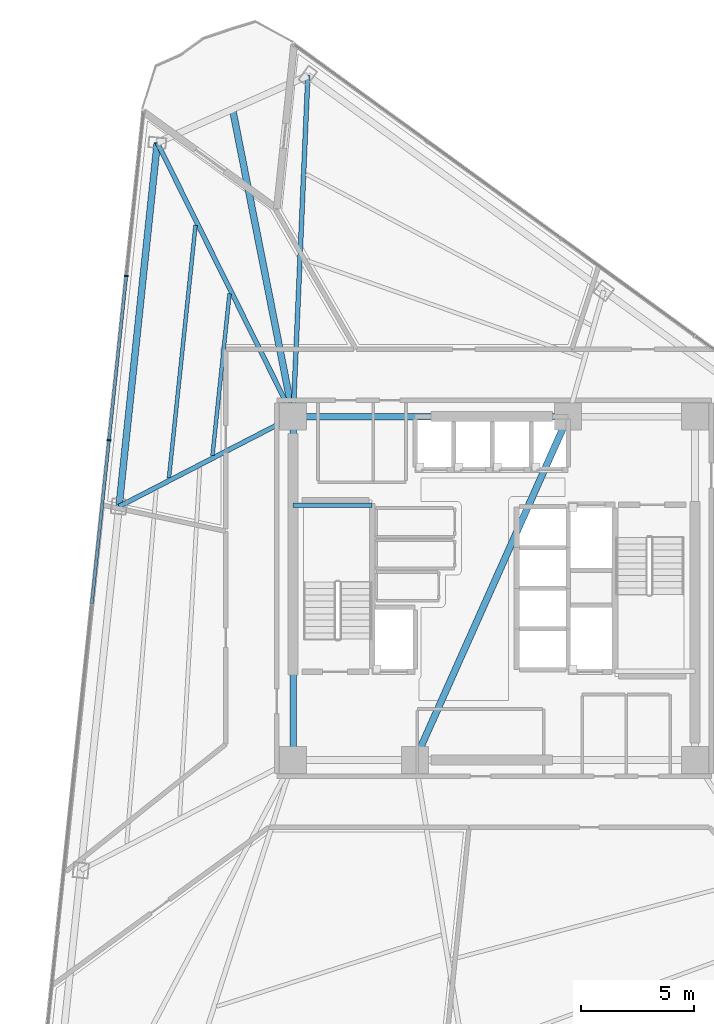
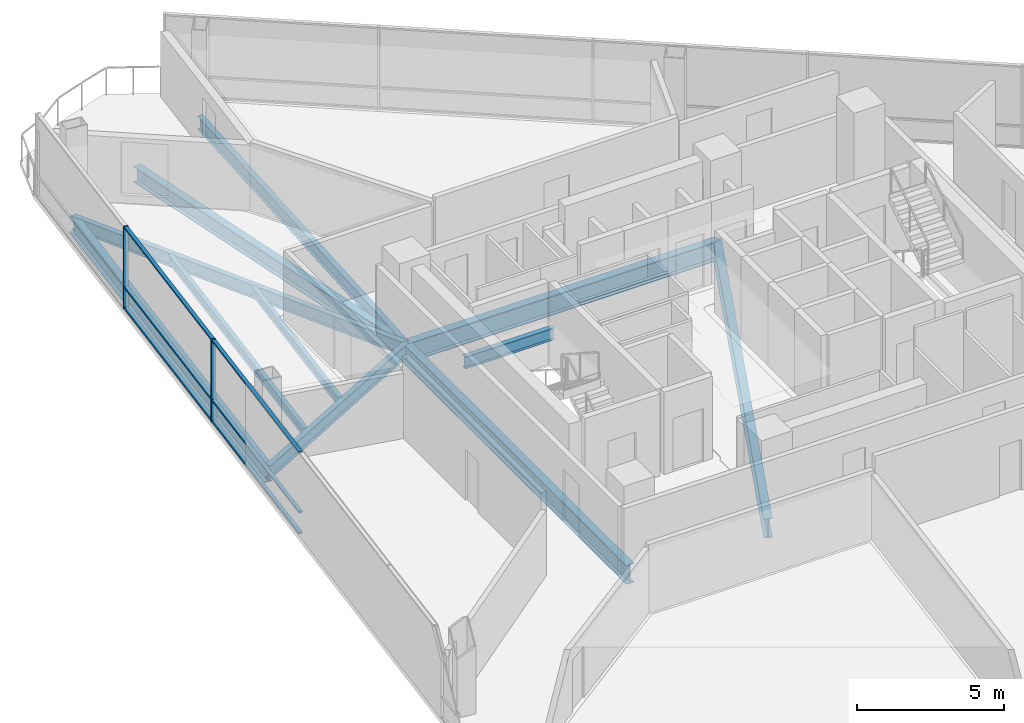
# One storey, part 7 of 19: 11 beams, 8 members, 1 element without a shape of its own.
"""IFC4 building model written with IfcOpenShell, lengths in metres."""

from ifc_helpers import new_model, si_unit, direction, frame, origin, origin_2d, place, context, subcontext, project, spatial, rectangle, i_section, extrude, material, layer, layer_set, material_profile, profile_set, type_object, element, aggregate, save


model = new_model("IFC4")

# Units and contexts
model_context = context("Model", 3, precision=1e-05, world=origin(), true_north=direction((0.0, 1.0)))
body_context = subcontext(model_context, "Body", "Model", "MODEL_VIEW")
ifc_project = project(units=[si_unit("LENGTHUNIT", "METRE"), si_unit("AREAUNIT", "SQUARE_METRE"), si_unit("VOLUMEUNIT", "CUBIC_METRE"), si_unit("PLANEANGLEUNIT", "RADIAN"), si_unit("MASSUNIT", "GRAM", prefix="KILO")], contexts=[model_context])

# Site, building, storey
site_placement = place(None, origin())
site = spatial("IfcSite", under=ifc_project, at=site_placement, CompositionType="ELEMENT")
building_placement = place(site_placement, origin())
building = spatial("IfcBuilding", under=site, at=building_placement, Name="Tharavind Bronze Gate", CompositionType="ELEMENT")
storey_placement = place(building_placement, frame((0.0, 0.0, 116.050048828125)))
storey = spatial("IfcBuildingStorey", under=building, at=storey_placement, Name="L29", CompositionType="ELEMENT", Elevation=116.050048828125)

# Curtain wall, members
ifc_material_1 = material(Name="Anodised Bronze Aluminium", Category="aluminium")
ifc_layer = layer(ifc_material_1, 0.219970703125)
ifc_layer_set = layer_set([ifc_layer], Name="Anodised Bronze Aluminium")
curtain_wall_type = type_object("IfcCurtainWallType", Name="UNITISED CURTAIN WALL LOWER OFFICE", PredefinedType="USERDEFINED", material=ifc_layer_set)
curtain_wall_placement = place(storey_placement, origin())
curtain_wall = element("IfcCurtainWall", 1, at=curtain_wall_placement, inside=storey, type_object=curtain_wall_type, Name="L29 unitised curtain wall lower office CW-L29-S1", ObjectType="UNITISED CURTAIN WALL", PredefinedType="USERDEFINED")
member_type_1 = type_object("IfcMemberType", Name="CURTAIN WALL BRONZE MULLION 65X180", PredefinedType="MULLION", material=ifc_material_1)
member_1_placement = place(storey_placement, frame((-16.2919921875, 13.828369140625, 0.0), z_axis=(0.0, 0.0, 1.0), x_axis=(-0.104526727499, -0.994522077803, 0.0)))
member_1 = element("IfcMember", 2, at=member_1_placement, type_object=member_type_1, Name="CW-L29-S1 mullion 2", PredefinedType="MULLION", context=body_context, shape_type="SweptSolid", body=[
    extrude(rectangle(XDim=0.06494140625, YDim=0.179931640625, at=origin_2d()), origin(), (0.0, 0.0, 1.0), 3.409912109375),
])
member_2_placement = place(storey_placement, frame((-17.056396484375, 6.55517578125, 0.0), z_axis=(0.0, 0.0, 1.0), x_axis=(-0.104526727499, -0.994522077803, 0.0)))
member_2 = element("IfcMember", 3, at=member_2_placement, type_object=member_type_1, Name="CW-L29-S1 mullion 3", PredefinedType="MULLION", context=body_context, shape_type="SweptSolid", body=[
    extrude(rectangle(XDim=0.06494140625, YDim=0.179931640625, at=origin_2d()), origin(), (0.0, 0.0, 1.0), 3.409912109375),
])
member_type_2 = type_object("IfcMemberType", Name="CURTAIN WALL BRONZE TRANSOM 65X140", PredefinedType="USERDEFINED", material=ifc_material_1)
member_3_placement = place(storey_placement, frame((-16.67431640625, 10.19189453125, 0.0), z_axis=(0.0, 0.0, 1.0), x_axis=(-0.104526727499, -0.994522077803, 0.0)))
member_3 = element("IfcMember", 4, at=member_3_placement, type_object=member_type_2, Name="CW-L29-S1 transom TB2", ObjectType="TRANSOM", PredefinedType="USERDEFINED", context=body_context, shape_type="SweptSolid", body=[
    extrude(rectangle(XDim=7.26025390625, YDim=0.139892578125, at=origin_2d()), origin(), (0.0, 0.0, 1.0), 0.06494140625),
])
member_4_placement = place(storey_placement, frame((-16.67431640625, 10.19189453125, 0.867431640625), z_axis=(0.0, 0.0, 1.0), x_axis=(-0.104526727499, -0.994522077803, 0.0)))
member_4 = element("IfcMember", 5, at=member_4_placement, type_object=member_type_2, Name="CW-L29-S1 transom TS2", ObjectType="TRANSOM", PredefinedType="USERDEFINED", context=body_context, shape_type="SweptSolid", body=[
    extrude(rectangle(XDim=7.26025390625, YDim=0.139892578125, at=origin_2d()), origin(), (0.0, 0.0, 1.0), 0.06494140625),
])
member_5_placement = place(storey_placement, frame((-16.67431640625, 10.19189453125, 3.344970703125), z_axis=(0.0, 0.0, 1.0), x_axis=(-0.104526727499, -0.994522077803, 0.0)))
member_5 = element("IfcMember", 6, at=member_5_placement, type_object=member_type_2, Name="CW-L29-S1 transom TT2", ObjectType="TRANSOM", PredefinedType="USERDEFINED", context=body_context, shape_type="SweptSolid", body=[
    extrude(rectangle(XDim=7.26025390625, YDim=0.139892578125, at=origin_2d()), origin(), (0.0, 0.0, 1.0), 0.06494140625),
])
member_6_placement = place(storey_placement, frame((-17.438720703125, 2.91845703125, 0.0), z_axis=(0.0, 0.0, 1.0), x_axis=(-0.104526727499, -0.994522077803, 0.0)))
member_6 = element("IfcMember", 7, at=member_6_placement, type_object=member_type_2, Name="CW-L29-S1 transom TB3", ObjectType="TRANSOM", PredefinedType="USERDEFINED", context=body_context, shape_type="SweptSolid", body=[
    extrude(rectangle(XDim=7.26025390625, YDim=0.139892578125, at=origin_2d()), origin(), (0.0, 0.0, 1.0), 0.06494140625),
])
member_7_placement = place(storey_placement, frame((-17.438720703125, 2.91845703125, 0.867431640625), z_axis=(0.0, 0.0, 1.0), x_axis=(-0.104526727499, -0.994522077803, 0.0)))
member_7 = element("IfcMember", 8, at=member_7_placement, type_object=member_type_2, Name="CW-L29-S1 transom TS3", ObjectType="TRANSOM", PredefinedType="USERDEFINED", context=body_context, shape_type="SweptSolid", body=[
    extrude(rectangle(XDim=7.26025390625, YDim=0.139892578125, at=origin_2d()), origin(), (0.0, 0.0, 1.0), 0.06494140625),
])
member_8_placement = place(storey_placement, frame((-17.438720703125, 2.91845703125, 3.344970703125), z_axis=(0.0, 0.0, 1.0), x_axis=(-0.104526727499, -0.994522077803, 0.0)))
member_8 = element("IfcMember", 9, at=member_8_placement, type_object=member_type_2, Name="CW-L29-S1 transom TT3", ObjectType="TRANSOM", PredefinedType="USERDEFINED", context=body_context, shape_type="SweptSolid", body=[
    extrude(rectangle(XDim=7.26025390625, YDim=0.139892578125, at=origin_2d()), origin(), (0.0, 0.0, 1.0), 0.06494140625),
])
aggregate(curtain_wall, [member_1, member_2, member_3, member_4, member_5, member_6, member_7, member_8])

# Beams
ifc_material_2 = material(Name="Steel S355", Category="steel")
ifc_material_profile_1 = material_profile(ifc_material_2, i_section(OverallWidth=0.300048828125, OverallDepth=0.64990234375, WebThickness=0.01611328125, FlangeThickness=0.031005859375, at=origin_2d()), Name="HE650B")
ifc_profile_set_1 = profile_set([ifc_material_profile_1], Name="Steel S355")
beam_type_1 = type_object("IfcBeamType", Name="PRIMARY GIRDER HE650B", PredefinedType="USERDEFINED", material=ifc_profile_set_1)
beam_1_placement = place(storey_placement, frame((-8.89990234375, 7.60009765625, -0.51513671875), z_axis=(-0.193337817279, 0.981132248176, 0.0), x_axis=(-0.981132248176, -0.193337817279, 0.0)))
element("IfcBeam", 10, at=beam_1_placement, inside=storey, type_object=beam_type_1, Name="L29 primary girder he650b BM-L29-BLCSB", ObjectType="GIRDER", PredefinedType="USERDEFINED", context=body_context, shape_type="SweptSolid", body=[
    extrude(i_section(OverallWidth=0.300048828125, OverallDepth=0.64990234375, WebThickness=0.01611328125, FlangeThickness=0.031005859375, at=origin_2d()), origin(), (0.0, 0.0, 1.0), 13.8779296875),
])
ifc_material_profile_2 = material_profile(ifc_material_2, i_section(OverallWidth=0.199951171875, OverallDepth=0.5, WebThickness=0.01025390625, FlangeThickness=0.01611328125, at=origin_2d()), Name="IPE500")
ifc_profile_set_2 = profile_set([ifc_material_profile_2], Name="Steel S355")
beam_type_2 = type_object("IfcBeamType", Name="PRIMARY GIRDER IPE500", PredefinedType="USERDEFINED", material=ifc_profile_set_2)
beam_2_placement = place(storey_placement, frame((-8.89990234375, 3.679931640625, 1.349853515625), z_axis=(1.0, 0.0, 0.0), x_axis=(0.0, 1.0, 0.0)))
element("IfcBeam", 11, at=beam_2_placement, inside=storey, type_object=beam_type_2, Name="L29 primary girder ipe500 BM-LD-ST1-L29-1", ObjectType="GIRDER", PredefinedType="USERDEFINED", context=body_context, shape_type="SweptSolid", body=[
    extrude(i_section(OverallWidth=0.199951171875, OverallDepth=0.5, WebThickness=0.01025390625, FlangeThickness=0.01611328125, at=origin_2d()), origin(), (0.0, 0.0, 1.0), 3.5),
])
ifc_material_profile_3 = material_profile(ifc_material_2, i_section(OverallWidth=0.2099609375, OverallDepth=0.550048828125, WebThickness=0.010986328125, FlangeThickness=0.01708984375, at=origin_2d()), Name="IPE550")
ifc_profile_set_3 = profile_set([ifc_material_profile_3], Name="Steel S355")
beam_type_3 = type_object("IfcBeamType", Name="PRIMARY GIRDER IPE550", PredefinedType="USERDEFINED", material=ifc_profile_set_3)
beam_3_placement = place(storey_placement, frame((-14.91748046875, 19.7314453125, -0.465087890625), z_axis=(0.444370024662, -0.895843335177, 0.0), x_axis=(0.895843335177, 0.444370024662, 0.0)))
element("IfcBeam", 12, at=beam_3_placement, inside=storey, type_object=beam_type_3, Name="L29 primary girder ipe550 BM-L29-RAD01", ObjectType="GIRDER", PredefinedType="USERDEFINED", context=body_context, shape_type="SweptSolid", body=[
    extrude(i_section(OverallWidth=0.2099609375, OverallDepth=0.550048828125, WebThickness=0.010986328125, FlangeThickness=0.01708984375, at=origin_2d()), origin(), (0.0, 0.0, 1.0), 13.541748046875),
])
beam_4_placement = place(storey_placement, frame((-16.610595703125, 3.62158203125, -0.465087890625), z_axis=(0.888676879782, 0.45853397185, 0.0), x_axis=(-0.45853397185, 0.888676879782, 0.0)))
element("IfcBeam", 13, at=beam_4_placement, inside=storey, type_object=beam_type_3, Name="L29 primary girder ipe550 BM-L29-RAD02", ObjectType="GIRDER", PredefinedType="USERDEFINED", context=body_context, shape_type="SweptSolid", body=[
    extrude(i_section(OverallWidth=0.2099609375, OverallDepth=0.550048828125, WebThickness=0.010986328125, FlangeThickness=0.01708984375, at=origin_2d()), origin(), (0.0, 0.0, 1.0), 8.676513671875),
])
beam_5_placement = place(storey_placement, frame((-8.24853515625, 22.70068359375, -0.465087890625), z_axis=(-0.043095152207, -0.999070972382, 0.0), x_axis=(0.999070972382, -0.043095152207, 0.0)))
element("IfcBeam", 14, at=beam_5_placement, inside=storey, type_object=beam_type_3, Name="L29 primary girder ipe550 BM-L29-RAD12", ObjectType="GIRDER", PredefinedType="USERDEFINED", context=body_context, shape_type="SweptSolid", body=[
    extrude(i_section(OverallWidth=0.2099609375, OverallDepth=0.550048828125, WebThickness=0.010986328125, FlangeThickness=0.01708984375, at=origin_2d()), origin(), (0.0, 0.0, 1.0), 15.11474609375),
])
ifc_material_profile_4 = material_profile(ifc_material_2, i_section(OverallWidth=0.300048828125, OverallDepth=0.699951171875, WebThickness=0.01708984375, FlangeThickness=0.031982421875, at=origin_2d()), Name="HE700B")
ifc_profile_set_4 = profile_set([ifc_material_profile_4], Name="Steel S355")
beam_type_4 = type_object("IfcBeamType", Name="RING GIRDER HE700B", PredefinedType="USERDEFINED", material=ifc_profile_set_4)
beam_6_placement = place(storey_placement, frame((-14.91748046875, 19.7314453125, -0.5400390625), z_axis=(-0.104522380175, -0.994522534708, 0.0), x_axis=(0.994522534708, -0.104522380175, 0.0)))
element("IfcBeam", 15, at=beam_6_placement, inside=storey, type_object=beam_type_4, Name="L29 ring girder he700b BM-L29-PRG01", ObjectType="GIRDER", PredefinedType="USERDEFINED", context=body_context, shape_type="SweptSolid", body=[
    extrude(i_section(OverallWidth=0.300048828125, OverallDepth=0.699951171875, WebThickness=0.01708984375, FlangeThickness=0.031982421875, at=origin_2d()), origin(), (0.0, 0.0, 1.0), 16.198486328125),
])
ifc_material_profile_5 = material_profile(ifc_material_2, i_section(OverallWidth=0.300048828125, OverallDepth=0.800048828125, WebThickness=0.017578125, FlangeThickness=0.032958984375, at=origin_2d()), Name="HE800B")
ifc_profile_set_5 = profile_set([ifc_material_profile_5], Name="Steel S355")
beam_type_5 = type_object("IfcBeamType", Name="RING GIRDER HE800B", PredefinedType="USERDEFINED", material=ifc_profile_set_5)
beam_7_placement = place(storey_placement, frame((3.280029296875, 7.60009765625, -0.590087890625), z_axis=(-1.0, 0.0, 0.0), x_axis=(0.0, -1.0, 0.0)))
element("IfcBeam", 16, at=beam_7_placement, inside=storey, type_object=beam_type_5, Name="L29 ring girder he800b BM-L29-CR5", ObjectType="GIRDER", PredefinedType="USERDEFINED", context=body_context, shape_type="SweptSolid", body=[
    extrude(i_section(OverallWidth=0.300048828125, OverallDepth=0.800048828125, WebThickness=0.017578125, FlangeThickness=0.032958984375, at=origin_2d()), origin(), (0.0, 0.0, 1.0), 12.179931640625),
])
beam_8_placement = place(storey_placement, frame((-8.89990234375, 7.60009765625, -0.590087890625), z_axis=(0.0, -1.0, 0.0), x_axis=(1.0, 0.0, 0.0)))
element("IfcBeam", 17, at=beam_8_placement, inside=storey, type_object=beam_type_5, Name="L29 ring girder he800b BM-L29-CR6", ObjectType="GIRDER", PredefinedType="USERDEFINED", context=body_context, shape_type="SweptSolid", body=[
    extrude(i_section(OverallWidth=0.300048828125, OverallDepth=0.800048828125, WebThickness=0.017578125, FlangeThickness=0.032958984375, at=origin_2d()), origin(), (0.0, 0.0, 1.0), 15.2001953125),
])
beam_9_placement = place(storey_placement, frame((-3.5, -7.60009765625, -0.590087890625), z_axis=(0.407361644566, 0.913266932795, 0.0), x_axis=(-0.913266932795, 0.407361644566, 0.0)))
element("IfcBeam", 18, at=beam_9_placement, inside=storey, type_object=beam_type_5, Name="L29 ring girder he800b BM-L29-CR7", ObjectType="GIRDER", PredefinedType="USERDEFINED", context=body_context, shape_type="SweptSolid", body=[
    extrude(i_section(OverallWidth=0.300048828125, OverallDepth=0.800048828125, WebThickness=0.017578125, FlangeThickness=0.032958984375, at=origin_2d()), origin(), (0.0, 0.0, 1.0), 16.643798828125),
])
ifc_material_profile_6 = material_profile(ifc_material_2, i_section(OverallWidth=0.169921875, OverallDepth=0.360107421875, WebThickness=0.008056640625, FlangeThickness=0.0126953125, at=origin_2d()), Name="IPE360")
ifc_profile_set_6 = profile_set([ifc_material_profile_6], Name="Steel S355")
beam_type_6 = type_object("IfcBeamType", Name="SECONDARY FLOOR JOIST IPE360", PredefinedType="JOIST", material=ifc_profile_set_6)
beam_10_placement = place(storey_placement, frame((-11.718994140625, 13.0419921875, -0.3701171875), z_axis=(-0.104536567764, -0.994521043518, 0.0), x_axis=(0.994521043518, -0.104536567764, 0.0)))
element("IfcBeam", 19, at=beam_10_placement, inside=storey, type_object=beam_type_6, Name="L29 secondary floor joist ipe360 BM-L29-JSTA01", PredefinedType="JOIST", context=body_context, shape_type="SweptSolid", body=[
    extrude(i_section(OverallWidth=0.169921875, OverallDepth=0.360107421875, WebThickness=0.008056640625, FlangeThickness=0.0126953125, at=origin_2d()), origin(), (0.0, 0.0, 1.0), 7.20263671875),
])
beam_11_placement = place(storey_placement, frame((-13.223388671875, 16.074951171875, -0.3701171875), z_axis=(-0.104516494227, -0.994523153292, 0.0), x_axis=(0.994523153292, -0.104516494227, 0.0)))
element("IfcBeam", 20, at=beam_11_placement, inside=storey, type_object=beam_type_6, Name="L29 secondary floor joist ipe360 BM-L29-JSTB01", PredefinedType="JOIST", context=body_context, shape_type="SweptSolid", body=[
    extrude(i_section(OverallWidth=0.169921875, OverallDepth=0.360107421875, WebThickness=0.008056640625, FlangeThickness=0.0126953125, at=origin_2d()), origin(), (0.0, 0.0, 1.0), 11.251953125),
])

save(model, "model.ifc")
